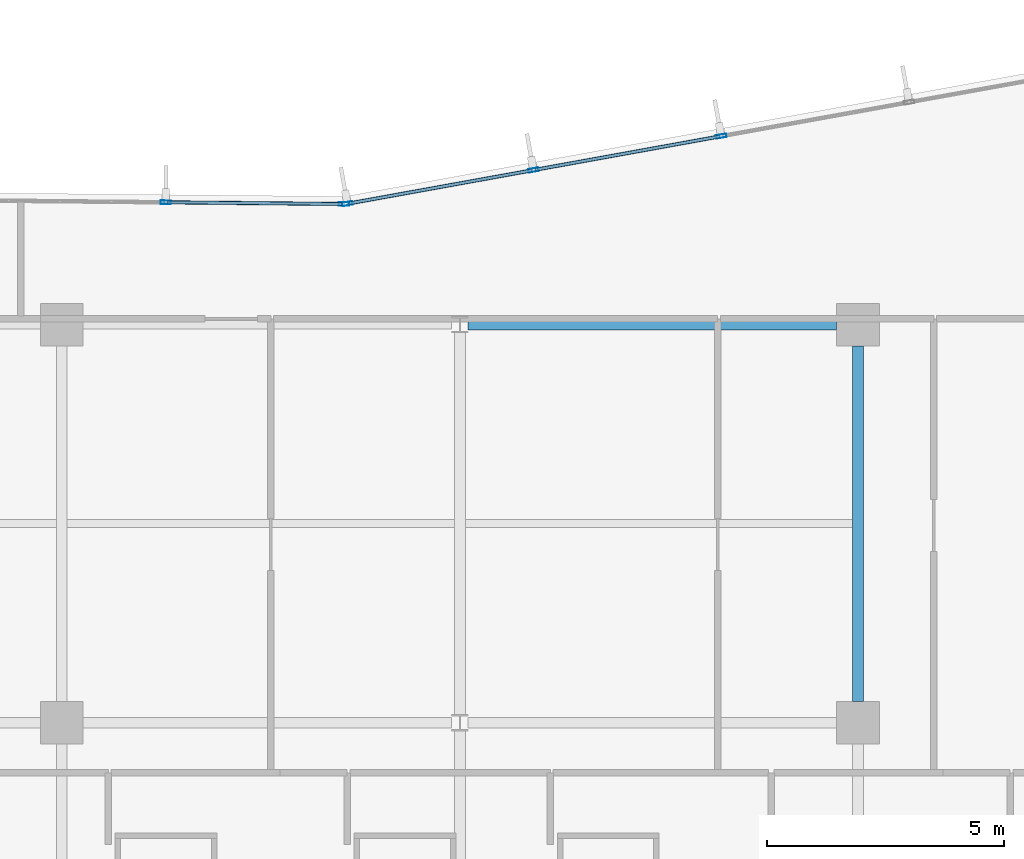
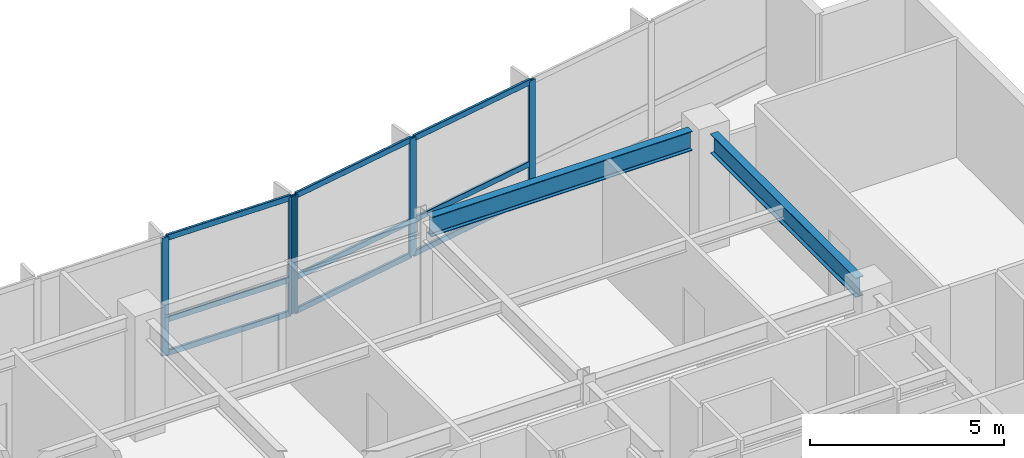
# One storey, part 6 of 19: 14 members, 2 beams, 2 elements without a shape of their own.
"""IFC4 building model written with IfcOpenShell, lengths in metres."""

from ifc_helpers import new_model, si_unit, direction, frame, origin, origin_2d, place, context, subcontext, project, spatial, hollow_rectangle, i_section, extrude, material, layer, layer_set, material_profile, profile_set, type_object, element, aggregate, save


model = new_model("IFC4")

# Units and contexts
model_context = context("Model", 3, precision=1e-05, world=origin(), true_north=direction((0.0, 1.0)))
body_context = subcontext(model_context, "Body", "Model", "MODEL_VIEW")
ifc_project = project(units=[si_unit("LENGTHUNIT", "METRE"), si_unit("AREAUNIT", "SQUARE_METRE"), si_unit("VOLUMEUNIT", "CUBIC_METRE"), si_unit("PLANEANGLEUNIT", "RADIAN"), si_unit("MASSUNIT", "GRAM", prefix="KILO")], contexts=[model_context])

# Site, building, storey
site_placement = place(None, origin())
site = spatial("IfcSite", under=ifc_project, at=site_placement, CompositionType="ELEMENT")
building_placement = place(site_placement, origin())
building = spatial("IfcBuilding", under=site, at=building_placement, Name="Varnakote Quay Hospital", CompositionType="ELEMENT")
storey_placement = place(building_placement, frame((0.0, 0.0, 50.14990234375)))
storey = spatial("IfcBuildingStorey", under=building, at=storey_placement, Name="L12", CompositionType="ELEMENT", Elevation=50.14990234375)

# Beams
ifc_material_1 = material(Name="Structural steel AS/NZS 3679.1 Grade 350 L0 (fy 340 MPa)", Category="steel")
ifc_material_profile_1 = material_profile(ifc_material_1, i_section(OverallWidth=0.22900390625, OverallDepth=0.612060546875, WebThickness=0.011962890625, FlangeThickness=0.01953125, FilletRadius=0.013916015625, at=origin_2d()), Name="610UB125")
ifc_profile_set_1 = profile_set([ifc_material_profile_1], Name="Structural steel AS/NZS 3679.1 Grade 350 L0 (fy 340 MPa)")
beam_type = type_object("IfcBeamType", Name="BM-STL-610UB125", PredefinedType="BEAM", material=ifc_profile_set_1)
beam_1_placement = place(storey_placement, frame((42.175048828125, 28.800048828125, 3.404052734375), z_axis=(1.0, 0.0, 0.0), x_axis=(0.0, 1.0, 0.0)))
element("IfcBeam", 1, at=beam_1_placement, inside=storey, type_object=beam_type, Name="L12 Primary Floor Beam", PredefinedType="BEAM", context=body_context, shape_type="SweptSolid", body=[
    extrude(i_section(OverallWidth=0.22900390625, OverallDepth=0.612060546875, WebThickness=0.011962890625, FlangeThickness=0.01953125, FilletRadius=0.013916015625, at=origin_2d()), origin(), (0.0, 0.0, 1.0), 7.77490234375),
])
beam_2_placement = place(storey_placement, frame((50.39990234375, 20.85009765625, 3.404052734375), z_axis=(0.0, 1.0, 0.0), x_axis=(-1.0, 0.0, 0.0)))
element("IfcBeam", 2, at=beam_2_placement, inside=storey, type_object=beam_type, Name="L12 Primary Tie Beam", PredefinedType="BEAM", context=body_context, shape_type="SweptSolid", body=[
    extrude(i_section(OverallWidth=0.22900390625, OverallDepth=0.612060546875, WebThickness=0.011962890625, FlangeThickness=0.01953125, FilletRadius=0.013916015625, at=origin_2d()), origin(), (0.0, 0.0, 1.0), 7.5),
])

# Curtain wall, members
ifc_material_2 = material(Name="Anodised aluminium 6063-T6 Bronze", Category="aluminium")
ifc_layer = layer(ifc_material_2, 0.18994140625)
ifc_layer_set = layer_set([ifc_layer], Name="Anodised aluminium 6063-T6 Bronze")
curtain_wall_type = type_object("IfcCurtainWallType", Name="CW-SYS-2", PredefinedType="NOTDEFINED", material=ifc_layer_set)
curtain_wall_1_placement = place(storey_placement, origin())
curtain_wall_1 = element("IfcCurtainWall", 3, at=curtain_wall_1_placement, inside=storey, type_object=curtain_wall_type, Name="L12 Unitised Bronze Curtain Wall 1", PredefinedType="NOTDEFINED")
ifc_material_3 = material(Name="Anodised aluminium 6063-T6 Bronze", Category="aluminium")
ifc_material_profile_2 = material_profile(ifc_material_3, hollow_rectangle(XDim=0.074951171875, YDim=0.219970703125, WallThickness=0.00439453125, InnerFilletRadius=0.00439453125, OuterFilletRadius=0.009033203125, at=origin_2d()), Name="CW-MULL-220x75")
ifc_profile_set_2 = profile_set([ifc_material_profile_2], Name="Anodised aluminium 6063-T6 Bronze")
member_type_1 = type_object("IfcMemberType", Name="CW-MULL-220x75", PredefinedType="MULLION", material=ifc_profile_set_2)
member_1_placement = place(storey_placement, frame((47.514892578125, 32.776123046875, 0.0), z_axis=(0.0, 0.0, 1.0), x_axis=(0.177846199098, -0.984058295766, 0.0)))
member_1 = element("IfcMember", 4, at=member_1_placement, type_object=member_type_1, Name="-2-L12-1 mullion 3", PredefinedType="MULLION", context=body_context, shape_type="SweptSolid", body=[
    extrude(hollow_rectangle(XDim=0.074951171875, YDim=0.219970703125, WallThickness=0.00439453125, InnerFilletRadius=0.00439453125, OuterFilletRadius=0.009033203125, at=origin_2d()), origin(), (0.0, 0.0, 1.0), 3.710205078125),
])
member_2_placement = place(storey_placement, frame((43.55224609375, 32.06005859375, 0.0), z_axis=(0.0, 0.0, 1.0), x_axis=(0.177846199098, -0.984058295766, 0.0)))
member_2 = element("IfcMember", 5, at=member_2_placement, type_object=member_type_1, Name="-2-L12-1 mullion 4", PredefinedType="MULLION", context=body_context, shape_type="SweptSolid", body=[
    extrude(hollow_rectangle(XDim=0.074951171875, YDim=0.219970703125, WallThickness=0.00439453125, InnerFilletRadius=0.00439453125, OuterFilletRadius=0.009033203125, at=origin_2d()), origin(), (0.0, 0.0, 1.0), 3.710205078125),
])
member_3_placement = place(storey_placement, frame((39.62646484375, 31.3505859375, 0.0), z_axis=(0.0, 0.0, 1.0), x_axis=(0.177846199098, -0.984058295766, 0.0)))
member_3 = element("IfcMember", 6, at=member_3_placement, type_object=member_type_1, Name="-2-L12-1 mullion 5", PredefinedType="MULLION", context=body_context, shape_type="SweptSolid", body=[
    extrude(hollow_rectangle(XDim=0.074951171875, YDim=0.219970703125, WallThickness=0.00439453125, InnerFilletRadius=0.00439453125, OuterFilletRadius=0.009033203125, at=origin_2d()), origin(), (0.0, 0.0, 1.0), 3.710205078125),
])

curtain_wall_2_placement = place(storey_placement, origin())
curtain_wall_2 = element("IfcCurtainWall", 7, at=curtain_wall_2_placement, inside=storey, type_object=curtain_wall_type, Name="L12 Unitised Bronze Curtain Wall 2", PredefinedType="NOTDEFINED")
member_4_placement = place(storey_placement, frame((39.552001953125, 31.34423828125, 0.0), z_axis=(0.0, 0.0, 1.0), x_axis=(-0.009774266312, -0.999952230718, 0.0)))
member_4 = element("IfcMember", 8, at=member_4_placement, type_object=member_type_1, Name="-2-L12-2 mullion 1", PredefinedType="MULLION", context=body_context, shape_type="SweptSolid", body=[
    extrude(hollow_rectangle(XDim=0.074951171875, YDim=0.219970703125, WallThickness=0.00439453125, InnerFilletRadius=0.00439453125, OuterFilletRadius=0.009033203125, at=origin_2d()), origin(), (0.0, 0.0, 1.0), 3.710205078125),
])
member_5_placement = place(storey_placement, frame((35.794189453125, 31.381103515625, 0.0), z_axis=(0.0, 0.0, 1.0), x_axis=(-0.009774266312, -0.999952230718, 0.0)))
member_5 = element("IfcMember", 9, at=member_5_placement, type_object=member_type_1, Name="-2-L12-2 mullion 2", PredefinedType="MULLION", context=body_context, shape_type="SweptSolid", body=[
    extrude(hollow_rectangle(XDim=0.074951171875, YDim=0.219970703125, WallThickness=0.00439453125, InnerFilletRadius=0.00439453125, OuterFilletRadius=0.009033203125, at=origin_2d()), origin(), (0.0, 0.0, 1.0), 3.710205078125),
])

# Member
ifc_material_4 = material(Name="Anodised aluminium 6063-T6 Bronze", Category="aluminium")
ifc_material_profile_3 = material_profile(ifc_material_4, hollow_rectangle(XDim=0.074951171875, YDim=0.179931640625, WallThickness=0.004150390625, InnerFilletRadius=0.004150390625, OuterFilletRadius=0.00830078125, at=origin_2d()), Name="CW-TRAN-180x75")
ifc_profile_set_3 = profile_set([ifc_material_profile_3], Name="Anodised aluminium 6063-T6 Bronze")
member_type_2 = type_object("IfcMemberType", Name="CW-TRAN-180x75", PredefinedType="USERDEFINED", material=ifc_profile_set_3)
member_6_placement = place(storey_placement, frame((47.477783203125, 32.76953125, 0.03759765625), z_axis=(-0.98405423478, -0.177868667876, 0.0), x_axis=(0.177868667876, -0.98405423478, 0.0)))
member_6 = element("IfcMember", 10, at=member_6_placement, type_object=member_type_2, Name="-2-L12-1 transom 3.1", ObjectType="TRANSOM", PredefinedType="USERDEFINED", context=body_context, shape_type="SweptSolid", body=[
    extrude(hollow_rectangle(XDim=0.074951171875, YDim=0.179931640625, WallThickness=0.004150390625, InnerFilletRadius=0.004150390625, OuterFilletRadius=0.00830078125, at=origin_2d()), origin(), (0.0, 0.0, 1.0), 3.95166015625),
])

member_7_placement = place(storey_placement, frame((47.477783203125, 32.76953125, 1.10009765625), z_axis=(-0.98405423478, -0.177868667876, 0.0), x_axis=(0.177868667876, -0.98405423478, 0.0)))
member_7 = element("IfcMember", 11, at=member_7_placement, type_object=member_type_2, Name="-2-L12-1 transom 3.2", ObjectType="TRANSOM", PredefinedType="USERDEFINED", context=body_context, shape_type="SweptSolid", body=[
    extrude(hollow_rectangle(XDim=0.074951171875, YDim=0.179931640625, WallThickness=0.004150390625, InnerFilletRadius=0.004150390625, OuterFilletRadius=0.00830078125, at=origin_2d()), origin(), (0.0, 0.0, 1.0), 3.95166015625),
])

member_8_placement = place(storey_placement, frame((47.477783203125, 32.76953125, 3.672607421875), z_axis=(-0.98405423478, -0.177868667876, 0.0), x_axis=(0.177868667876, -0.98405423478, 0.0)))
member_8 = element("IfcMember", 12, at=member_8_placement, type_object=member_type_2, Name="-2-L12-1 transom 3.3", ObjectType="TRANSOM", PredefinedType="USERDEFINED", context=body_context, shape_type="SweptSolid", body=[
    extrude(hollow_rectangle(XDim=0.074951171875, YDim=0.179931640625, WallThickness=0.004150390625, InnerFilletRadius=0.004150390625, OuterFilletRadius=0.00830078125, at=origin_2d()), origin(), (0.0, 0.0, 1.0), 3.95166015625),
])

member_9_placement = place(storey_placement, frame((43.515380859375, 32.053466796875, 0.03759765625), z_axis=(-0.984053005206, -0.177875470329, 0.0), x_axis=(0.177875470329, -0.984053005206, 0.0)))
member_9 = element("IfcMember", 13, at=member_9_placement, type_object=member_type_2, Name="-2-L12-1 transom 4.1", ObjectType="TRANSOM", PredefinedType="USERDEFINED", context=body_context, shape_type="SweptSolid", body=[
    extrude(hollow_rectangle(XDim=0.074951171875, YDim=0.179931640625, WallThickness=0.004150390625, InnerFilletRadius=0.004150390625, OuterFilletRadius=0.00830078125, at=origin_2d()), origin(), (0.0, 0.0, 1.0), 3.91455078125),
])

member_10_placement = place(storey_placement, frame((43.515380859375, 32.053466796875, 1.10009765625), z_axis=(-0.984053005206, -0.177875470329, 0.0), x_axis=(0.177875470329, -0.984053005206, 0.0)))
member_10 = element("IfcMember", 14, at=member_10_placement, type_object=member_type_2, Name="-2-L12-1 transom 4.2", ObjectType="TRANSOM", PredefinedType="USERDEFINED", context=body_context, shape_type="SweptSolid", body=[
    extrude(hollow_rectangle(XDim=0.074951171875, YDim=0.179931640625, WallThickness=0.004150390625, InnerFilletRadius=0.004150390625, OuterFilletRadius=0.00830078125, at=origin_2d()), origin(), (0.0, 0.0, 1.0), 3.91455078125),
])

member_11_placement = place(storey_placement, frame((43.515380859375, 32.053466796875, 3.672607421875), z_axis=(-0.984053005206, -0.177875470329, 0.0), x_axis=(0.177875470329, -0.984053005206, 0.0)))
member_11 = element("IfcMember", 15, at=member_11_placement, type_object=member_type_2, Name="-2-L12-1 transom 4.3", ObjectType="TRANSOM", PredefinedType="USERDEFINED", context=body_context, shape_type="SweptSolid", body=[
    extrude(hollow_rectangle(XDim=0.074951171875, YDim=0.179931640625, WallThickness=0.004150390625, InnerFilletRadius=0.004150390625, OuterFilletRadius=0.00830078125, at=origin_2d()), origin(), (0.0, 0.0, 1.0), 3.91455078125),
])

aggregate(curtain_wall_1, [member_1, member_2, member_3, member_6, member_7, member_8, member_9, member_10, member_11])

member_12_placement = place(storey_placement, frame((39.5146484375, 31.3447265625, 0.03759765625), z_axis=(-0.99995252931, 0.009743671073, 0.0), x_axis=(-0.009743671073, -0.99995252931, 0.0)))
member_12 = element("IfcMember", 16, at=member_12_placement, type_object=member_type_2, Name="-2-L12-2 transom 1.1", ObjectType="TRANSOM", PredefinedType="USERDEFINED", context=body_context, shape_type="SweptSolid", body=[
    extrude(hollow_rectangle(XDim=0.074951171875, YDim=0.179931640625, WallThickness=0.004150390625, InnerFilletRadius=0.004150390625, OuterFilletRadius=0.00830078125, at=origin_2d()), origin(), (0.0, 0.0, 1.0), 3.683349609375),
])

member_13_placement = place(storey_placement, frame((39.5146484375, 31.3447265625, 1.10009765625), z_axis=(-0.99995252931, 0.009743671073, 0.0), x_axis=(-0.009743671073, -0.99995252931, 0.0)))
member_13 = element("IfcMember", 17, at=member_13_placement, type_object=member_type_2, Name="-2-L12-2 transom 1.2", ObjectType="TRANSOM", PredefinedType="USERDEFINED", context=body_context, shape_type="SweptSolid", body=[
    extrude(hollow_rectangle(XDim=0.074951171875, YDim=0.179931640625, WallThickness=0.004150390625, InnerFilletRadius=0.004150390625, OuterFilletRadius=0.00830078125, at=origin_2d()), origin(), (0.0, 0.0, 1.0), 3.683349609375),
])

member_14_placement = place(storey_placement, frame((39.5146484375, 31.3447265625, 3.672607421875), z_axis=(-0.99995252931, 0.009743671073, 0.0), x_axis=(-0.009743671073, -0.99995252931, 0.0)))
member_14 = element("IfcMember", 18, at=member_14_placement, type_object=member_type_2, Name="-2-L12-2 transom 1.3", ObjectType="TRANSOM", PredefinedType="USERDEFINED", context=body_context, shape_type="SweptSolid", body=[
    extrude(hollow_rectangle(XDim=0.074951171875, YDim=0.179931640625, WallThickness=0.004150390625, InnerFilletRadius=0.004150390625, OuterFilletRadius=0.00830078125, at=origin_2d()), origin(), (0.0, 0.0, 1.0), 3.683349609375),
])

aggregate(curtain_wall_2, [member_4, member_5, member_12, member_13, member_14])

save(model, "model.ifc")
